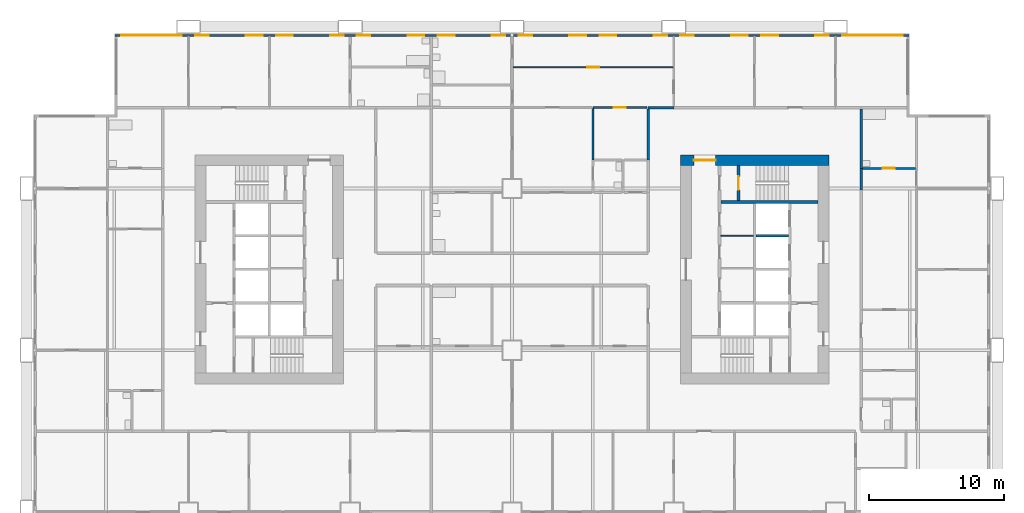
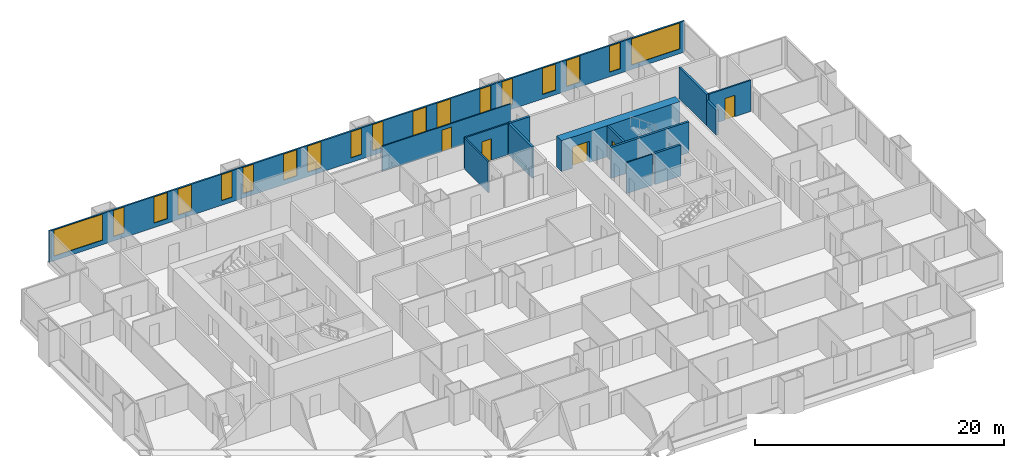
# One storey, part 10 of 14: 18 windows, 14 walls, 5 doors, 23 openings.
"""IFC4 building model written with IfcOpenShell, lengths in metres."""

from ifc_helpers import new_model, si_unit, direction, frame, frame_2d, origin, place, context, subcontext, project, spatial, rectangle, extrude, material, layer, layer_set, type_object, element, fill, save


model = new_model("IFC4")

# Units and contexts
model_context = context("Model", 3, precision=1e-05, world=origin(), true_north=direction((0.0, 1.0)))
body_context = subcontext(model_context, "Body", "Model", "MODEL_VIEW")
ifc_project = project(units=[si_unit("LENGTHUNIT", "METRE"), si_unit("AREAUNIT", "SQUARE_METRE"), si_unit("VOLUMEUNIT", "CUBIC_METRE"), si_unit("PLANEANGLEUNIT", "RADIAN"), si_unit("MASSUNIT", "GRAM", prefix="KILO")], contexts=[model_context])

# Site, building, storey
site_placement = place(None, origin())
site = spatial("IfcSite", under=ifc_project, at=site_placement, CompositionType="ELEMENT")
building_placement = place(site_placement, origin())
building = spatial("IfcBuilding", under=site, at=building_placement, Name="Kitamizu Gate Tower and Museum", CompositionType="ELEMENT")
storey_placement = place(building_placement, frame((0.0, 0.0, 43.800048828125)))
storey = spatial("IfcBuildingStorey", under=building, at=storey_placement, Name="L09", CompositionType="ELEMENT", Elevation=43.800048828125)

# Wall, opening, door
ifc_material_1 = material(Name="Concrete Fc60", Category="concrete")
ifc_layer_1 = layer(ifc_material_1, 0.800048828125)
ifc_layer_set_1 = layer_set([ifc_layer_1], Name="Concrete Fc60")
wall_type_1 = type_object("IfcWallType", Name="Core wall 800", PredefinedType="SHEAR", material=ifc_layer_set_1)
wall_1_placement = place(storey_placement, frame((59.5, 38.10009765625, 0.0), z_axis=(0.0, 0.0, 1.0), x_axis=(-1.0, 0.0, 0.0)))
wall_1 = element("IfcWall", 1, at=wall_1_placement, inside=storey, type_object=wall_type_1, Name="Core wall EN", PredefinedType="SHEAR", context=body_context, shape_type="SweptSolid", body=[
    extrude(rectangle(XDim=11.0, YDim=0.800048828125, at=frame_2d((5.5, 0.0))), origin(), (0.0, 0.0, 1.0), 3.050048828125),
])
opening_1_placement = place(wall_1_placement, frame((8.39990234375, 0.0, 0.0)))
opening_1 = element("IfcOpeningElement", 2, at=opening_1_placement, cuts=wall_1, Name="Opening L09-098", PredefinedType="OPENING", context=body_context, shape_type="SweptSolid", body=[
    extrude(rectangle(XDim=1.60009765625, YDim=2.10009765625, at=frame_2d((0.800048828125, 1.050048828125))), frame((0.0, 0.41015625, 0.0), z_axis=(0.0, -1.0, 0.0), x_axis=(1.0, 0.0, 0.0)), (0.0, 0.0, 1.0), 0.820068359375),
])
ifc_material_2 = material(Name="Timber door set", Category="wood")
door_type_1 = type_object("IfcDoorType", Name="Entrance door 1600", OperationType="DOUBLE_DOOR_SINGLE_SWING", PredefinedType="DOOR", material=ifc_material_2)
door_1_placement = place(opening_1_placement, origin())
door_1 = element("IfcDoor", 3, at=door_1_placement, inside=storey, type_object=door_type_1, Name="Lobby door L09-098", OperationType="DOUBLE_DOOR_SINGLE_SWING", OverallHeight=2.10009765625, OverallWidth=1.60009765625, PredefinedType="DOOR", context=body_context, shape_type="SweptSolid", body=[
    extrude(rectangle(XDim=1.60009765625, YDim=2.10009765625, at=frame_2d((0.800048828125, 1.050048828125))), frame((0.0, 0.02490234375, 0.0), z_axis=(0.0, -1.0, 0.0), x_axis=(1.0, 0.0, 0.0)), (0.0, 0.0, 1.0), 0.050048828125),
])
fill(opening_1, door_1)

# Wall
ifc_material_3 = material(Name="Gypsum board on galvanised stud")
ifc_layer_2 = layer(ifc_material_3, 0.10009765625)
ifc_layer_set_2 = layer_set([ifc_layer_2], Name="Gypsum board on galvanised stud")
wall_type_2 = type_object("IfcWallType", Name="Partition 100", PredefinedType="PARTITIONING", material=ifc_layer_set_2)
wall_2_placement = place(storey_placement, frame((53.89990234375, 32.490966796875, 0.0), z_axis=(0.0, 0.0, 1.0), x_axis=(-1.0, 0.0, 0.0)))
element("IfcWall", 4, at=wall_2_placement, inside=storey, type_object=wall_type_2, Name="Partition EPF2", PredefinedType="PARTITIONING", context=body_context, shape_type="SweptSolid", body=[
    extrude(rectangle(XDim=2.39990234375, YDim=0.10009765625, at=frame_2d((1.199951171875, 0.0))), origin(), (0.0, 0.0, 1.0), 3.050048828125),
])

# Wall, opening, door
ifc_material_4 = material(Name="Gypsum board on galvanised stud")
ifc_layer_3 = layer(ifc_material_4, 0.10009765625)
ifc_layer_set_3 = layer_set([ifc_layer_3], Name="Gypsum board on galvanised stud")
wall_type_3 = type_object("IfcWallType", Name="Partition 100 NOT RATED", PredefinedType="PARTITIONING", material=ifc_layer_set_3)
wall_3_placement = place(storey_placement, frame((48.0, 45.0, 0.0), z_axis=(0.0, 0.0, 1.0), x_axis=(-1.0, 0.0, 0.0)))
wall_3 = element("IfcWall", 5, at=wall_3_placement, inside=storey, type_object=wall_type_3, Name="Partition L09-158", PredefinedType="PARTITIONING", context=body_context, shape_type="SweptSolid", body=[
    extrude(rectangle(XDim=11.925048828125, YDim=0.10009765625, at=frame_2d((5.96240234375, 0.0))), origin(), (0.0, 0.0, 1.0), 2.449951171875),
])
opening_2_placement = place(wall_3_placement, frame((5.512451171875, 0.0, 0.0)))
opening_2 = element("IfcOpeningElement", 6, at=opening_2_placement, cuts=wall_3, Name="Opening L09-059", PredefinedType="OPENING", context=body_context, shape_type="SweptSolid", body=[
    extrude(rectangle(XDim=0.89990234375, YDim=2.10009765625, at=frame_2d((0.449951171875, 1.050048828125))), frame((0.0, 0.06005859375, 0.0), z_axis=(0.0, -1.0, 0.0), x_axis=(1.0, 0.0, 0.0)), (0.0, 0.0, 1.0), 0.1201171875),
])
ifc_material_5 = material(Name="Timber door set", Category="wood")
door_type_2 = type_object("IfcDoorType", Name="Room door 900", OperationType="NOTDEFINED", PredefinedType="DOOR", material=ifc_material_5)
door_2_placement = place(opening_2_placement, frame((0.89990234375, 0.0, 0.0), x_axis=(-1.0, 0.0, 0.0)))
door_2 = element("IfcDoor", 7, at=door_2_placement, inside=storey, type_object=door_type_2, Name="Door L09-059", OperationType="SINGLE_SWING_LEFT", OverallHeight=2.10009765625, OverallWidth=0.89990234375, PredefinedType="DOOR", context=body_context, shape_type="SweptSolid", body=[
    extrude(rectangle(XDim=0.89990234375, YDim=2.10009765625, at=frame_2d((0.449951171875, 1.050048828125))), frame((0.0, 0.02490234375, 0.0), z_axis=(0.0, -1.0, 0.0), x_axis=(1.0, 0.0, 0.0)), (0.0, 0.0, 1.0), 0.050048828125),
])
fill(opening_2, door_2)

ifc_material_6 = material(Name="Gypsum board on galvanised stud")
ifc_layer_4 = layer(ifc_material_6, 0.14990234375)
ifc_layer_set_4 = layer_set([ifc_layer_4], Name="Gypsum board on galvanised stud")
wall_type_4 = type_object("IfcWallType", Name="Partition 150", PredefinedType="PARTITIONING", material=ifc_layer_set_4)
wall_4_placement = place(storey_placement, frame((42.0, 42.0, 0.0), z_axis=(0.0, 0.0, 1.0), x_axis=(1.0, 0.0, 0.0)))
wall_4 = element("IfcWall", 8, at=wall_4_placement, inside=storey, type_object=wall_type_4, Name="Partition L09-161", PredefinedType="PARTITIONING", context=body_context, shape_type="SweptSolid", body=[
    extrude(rectangle(XDim=4.0, YDim=0.14990234375, at=frame_2d((2.0, 0.0))), origin(), (0.0, 0.0, 1.0), 3.050048828125),
])
opening_3_placement = place(wall_4_placement, frame((1.550048828125, 0.0, 0.0)))
opening_3 = element("IfcOpeningElement", 9, at=opening_3_placement, cuts=wall_4, Name="Opening L09-062", PredefinedType="OPENING", context=body_context, shape_type="SweptSolid", body=[
    extrude(rectangle(XDim=0.89990234375, YDim=2.10009765625, at=frame_2d((0.449951171875, 1.050048828125))), frame((0.0, 0.0849609375, 0.0), z_axis=(0.0, -1.0, 0.0), x_axis=(1.0, 0.0, 0.0)), (0.0, 0.0, 1.0), 0.169921875),
])
ifc_material_7 = material(Name="Timber door set", Category="wood")
door_type_3 = type_object("IfcDoorType", Name="Bathroom door 900", OperationType="NOTDEFINED", PredefinedType="DOOR", material=ifc_material_7)
door_3_placement = place(opening_3_placement, frame((0.89990234375, 0.0, 0.0), x_axis=(-1.0, 0.0, 0.0)))
door_3 = element("IfcDoor", 10, at=door_3_placement, inside=storey, type_object=door_type_3, Name="Bathroom door L09-062", OperationType="SINGLE_SWING_LEFT", OverallHeight=2.10009765625, OverallWidth=0.89990234375, PredefinedType="DOOR", context=body_context, shape_type="SweptSolid", body=[
    extrude(rectangle(XDim=0.89990234375, YDim=2.10009765625, at=frame_2d((0.449951171875, 1.050048828125))), frame((0.0, 0.02490234375, 0.0), z_axis=(0.0, -1.0, 0.0), x_axis=(1.0, 0.0, 0.0)), (0.0, 0.0, 1.0), 0.050048828125),
])
fill(opening_3, door_3)

# Wall
wall_5_placement = place(storey_placement, frame((42.0, 38.10009765625, 0.0), z_axis=(0.0, 0.0, 1.0), x_axis=(0.0, 1.0, 0.0)))
element("IfcWall", 11, at=wall_5_placement, inside=storey, type_object=wall_type_4, Name="Partition L09-175", PredefinedType="PARTITIONING", context=body_context, shape_type="SweptSolid", body=[
    extrude(rectangle(XDim=3.824951171875, YDim=0.14990234375, at=frame_2d((1.91259765625, 0.0))), origin(), (0.0, 0.0, 1.0), 3.050048828125),
])

# Wall, opening, door
wall_6_placement = place(storey_placement, frame((65.925048828125, 37.5, 0.0), z_axis=(0.0, 0.0, 1.0), x_axis=(-1.0, 0.0, 0.0)))
wall_6 = element("IfcWall", 12, at=wall_6_placement, inside=storey, type_object=wall_type_4, Name="Partition L09-210", PredefinedType="PARTITIONING", context=body_context, shape_type="SweptSolid", body=[
    extrude(rectangle(XDim=3.925048828125, YDim=0.14990234375, at=frame_2d((1.96240234375, 0.0))), origin(), (0.0, 0.0, 1.0), 3.050048828125),
])
opening_4_placement = place(wall_6_placement, frame((1.512451171875, 0.0, 0.0)))
opening_4 = element("IfcOpeningElement", 13, at=opening_4_placement, cuts=wall_6, Name="Opening L09-076", PredefinedType="OPENING", context=body_context, shape_type="SweptSolid", body=[
    extrude(rectangle(XDim=0.89990234375, YDim=2.10009765625, at=frame_2d((0.449951171875, 1.050048828125))), frame((0.0, 0.0849609375, 0.0), z_axis=(0.0, -1.0, 0.0), x_axis=(1.0, 0.0, 0.0)), (0.0, 0.0, 1.0), 0.169921875),
])
door_4_placement = place(opening_4_placement, frame((0.89990234375, 0.0, 0.0), x_axis=(-1.0, 0.0, 0.0)))
door_4 = element("IfcDoor", 14, at=door_4_placement, inside=storey, type_object=door_type_3, Name="Bathroom door L09-076", OperationType="SINGLE_SWING_RIGHT", OverallHeight=2.10009765625, OverallWidth=0.89990234375, PredefinedType="DOOR", context=body_context, shape_type="SweptSolid", body=[
    extrude(rectangle(XDim=0.89990234375, YDim=2.10009765625, at=frame_2d((0.449951171875, 1.050048828125))), frame((0.0, 0.02490234375, 0.0), z_axis=(0.0, -1.0, 0.0), x_axis=(1.0, 0.0, 0.0)), (0.0, 0.0, 1.0), 0.050048828125),
])
fill(opening_4, door_4)

# Walls
ifc_material_8 = material(Name="Gypsum board on galvanised stud")
ifc_layer_5 = layer(ifc_material_8, 0.199951171875)
ifc_layer_set_5 = layer_set([ifc_layer_5], Name="Gypsum board on galvanised stud")
wall_type_5 = type_object("IfcWallType", Name="Partition 200", PredefinedType="PARTITIONING", material=ifc_layer_set_5)
wall_7_placement = place(storey_placement, frame((46.10009765625, 42.0, 0.0), z_axis=(0.0, 0.0, 1.0), x_axis=(1.0, 0.0, 0.0)))
element("IfcWall", 15, at=wall_7_placement, inside=storey, type_object=wall_type_5, Name="Partition L09-162", PredefinedType="PARTITIONING", context=body_context, shape_type="SweptSolid", body=[
    extrude(rectangle(XDim=1.89990234375, YDim=0.199951171875, at=frame_2d((0.949951171875, 0.0))), origin(), (0.0, 0.0, 1.0), 3.050048828125),
])
wall_8_placement = place(storey_placement, frame((46.10009765625, 38.10009765625, 0.0), z_axis=(0.0, 0.0, 1.0), x_axis=(0.0, 1.0, 0.0)))
element("IfcWall", 16, at=wall_8_placement, inside=storey, type_object=wall_type_5, Name="Partition L09-185", PredefinedType="PARTITIONING", context=body_context, shape_type="SweptSolid", body=[
    extrude(rectangle(XDim=3.7998046875, YDim=0.199951171875, at=frame_2d((1.89990234375, 0.0))), origin(), (0.0, 0.0, 1.0), 3.050048828125),
])
wall_9_placement = place(storey_placement, frame((61.89990234375, 37.5, 0.0), z_axis=(0.0, 0.0, 1.0), x_axis=(0.0, -1.0, 0.0)))
element("IfcWall", 17, at=wall_9_placement, inside=storey, type_object=wall_type_5, Name="Partition L09-211", PredefinedType="PARTITIONING", context=body_context, shape_type="SweptSolid", body=[
    extrude(rectangle(XDim=1.60009765625, YDim=0.199951171875, at=frame_2d((0.800048828125, 0.0))), origin(), (0.0, 0.0, 1.0), 2.449951171875),
])
wall_10_placement = place(storey_placement, frame((61.89990234375, 41.89990234375, 0.0), z_axis=(0.0, 0.0, 1.0), x_axis=(0.0, -1.0, 0.0)))
element("IfcWall", 18, at=wall_10_placement, inside=storey, type_object=wall_type_5, Name="Partition L09-213", PredefinedType="PARTITIONING", context=body_context, shape_type="SweptSolid", body=[
    extrude(rectangle(XDim=4.39990234375, YDim=0.199951171875, at=frame_2d((2.199951171875, 0.0))), origin(), (0.0, 0.0, 1.0), 3.050048828125),
])
ifc_material_9 = material(Name="Concrete Fc42", Category="concrete")
ifc_layer_6 = layer(ifc_material_9, 0.199951171875)
ifc_layer_set_6 = layer_set([ifc_layer_6], Name="Concrete Fc42")
wall_type_6 = type_object("IfcWallType", Name="Shaft wall 200", PredefinedType="SOLIDWALL", material=ifc_layer_set_6)
wall_11_placement = place(storey_placement, frame((58.699951171875, 35.0, 0.0), z_axis=(0.0, 0.0, 1.0), x_axis=(-1.0, 0.0, 0.0)))
element("IfcWall", 19, at=wall_11_placement, inside=storey, type_object=wall_type_6, Name="Shaft wall ENB", PredefinedType="SOLIDWALL", context=body_context, shape_type="SweptSolid", body=[
    extrude(rectangle(XDim=7.199951171875, YDim=0.199951171875, at=frame_2d((3.60009765625, 0.0))), origin(), (0.0, 0.0, 1.0), 3.050048828125),
])

# Wall, opening, door
wall_12_placement = place(storey_placement, frame((52.800048828125, 35.10009765625, 0.0), z_axis=(0.0, 0.0, 1.0), x_axis=(0.0, 1.0, 0.0)))
wall_12 = element("IfcWall", 20, at=wall_12_placement, inside=storey, type_object=wall_type_6, Name="Shaft wall ENZ", PredefinedType="SOLIDWALL", context=body_context, shape_type="SweptSolid", body=[
    extrude(rectangle(XDim=2.599853515625, YDim=0.199951171875, at=frame_2d((1.2998046875, 0.0))), origin(), (0.0, 0.0, 1.0), 3.050048828125),
])
opening_5_placement = place(wall_12_placement, frame((0.800048828125, 0.0, 0.0)))
opening_5 = element("IfcOpeningElement", 21, at=opening_5_placement, cuts=wall_12, Name="Opening L09-094", PredefinedType="OPENING", context=body_context, shape_type="SweptSolid", body=[
    extrude(rectangle(XDim=1.0, YDim=2.10009765625, at=frame_2d((0.5, 1.050048828125))), frame((0.0, 0.10986328125, 0.0), z_axis=(0.0, -1.0, 0.0), x_axis=(1.0, 0.0, 0.0)), (0.0, 0.0, 1.0), 0.219970703125),
])
ifc_material_10 = material(Name="Hollow metal door set")
door_type_4 = type_object("IfcDoorType", Name="Fire door 1000", OperationType="NOTDEFINED", PredefinedType="DOOR", material=ifc_material_10)
door_5_placement = place(opening_5_placement, frame((1.0, 0.0, 0.0), x_axis=(-1.0, 0.0, 0.0)))
door_5 = element("IfcDoor", 22, at=door_5_placement, inside=storey, type_object=door_type_4, Name="Stair door L09-094", OperationType="SINGLE_SWING_LEFT", OverallHeight=2.10009765625, OverallWidth=1.0, PredefinedType="DOOR", context=body_context, shape_type="SweptSolid", body=[
    extrude(rectangle(XDim=1.0, YDim=2.10009765625, at=frame_2d((0.5, 1.050048828125))), frame((0.0, 0.02490234375, 0.0), z_axis=(0.0, -1.0, 0.0), x_axis=(1.0, 0.0, 0.0)), (0.0, 0.0, 1.0), 0.050048828125),
])
fill(opening_5, door_5)

# Wall
wall_13_placement = place(storey_placement, frame((56.5, 32.5, 0.0), z_axis=(0.0, 0.0, 1.0), x_axis=(-1.0, 0.0, 0.0)))
element("IfcWall", 23, at=wall_13_placement, inside=storey, type_object=wall_type_6, Name="Shaft wall EDVW2", PredefinedType="SOLIDWALL", context=body_context, shape_type="SweptSolid", body=[
    extrude(rectangle(XDim=2.39990234375, YDim=0.199951171875, at=frame_2d((1.199951171875, 0.0))), origin(), (0.0, 0.0, 1.0), 3.050048828125),
])

# Wall, openings, windows
ifc_material_11 = material(Name="Bronze anodised aluminium frame with insulated spandrel and tinted glass", Category="aluminium")
ifc_layer_7 = layer(ifc_material_11, 0.14990234375)
ifc_layer_set_7 = layer_set([ifc_layer_7], Name="Bronze anodised aluminium frame with insulated spandrel and tinted glass")
wall_type_7 = type_object("IfcWallType", Name="WINDOW WALL 150 BRONZE FRAME EI 30", PredefinedType="ELEMENTEDWALL", material=ifc_layer_set_7)
wall_14_placement = place(storey_placement, frame((6.56005859375, 47.364990234375, 0.0), z_axis=(0.0, 0.0, 1.0), x_axis=(1.0, 0.0, 0.0)))
wall_14 = element("IfcWall", 24, at=wall_14_placement, inside=storey, type_object=wall_type_7, Name="Window wall north L09", PredefinedType="ELEMENTEDWALL", context=body_context, shape_type="SweptSolid", body=[
    extrude(rectangle(XDim=58.8798828125, YDim=0.14990234375, at=frame_2d((29.43994140625, 0.0))), origin(), (0.0, 0.0, 1.0), 3.050048828125),
])
opening_6_placement = place(wall_14_placement, frame((0.43994140625, 0.0, 0.449951171875)))
opening_6 = element("IfcOpeningElement", 25, at=opening_6_placement, cuts=wall_14, Name="Opening W15", PredefinedType="OPENING", context=body_context, shape_type="SweptSolid", body=[
    extrude(rectangle(XDim=4.5, YDim=2.550048828125, at=frame_2d((2.25, 1.27490234375))), frame((0.0, 0.0849609375, 0.0), z_axis=(0.0, -1.0, 0.0), x_axis=(1.0, 0.0, 0.0)), (0.0, 0.0, 1.0), 0.169921875),
])
opening_7_placement = place(wall_14_placement, frame((5.93994140625, 0.0, 0.449951171875)))
opening_7 = element("IfcOpeningElement", 26, at=opening_7_placement, cuts=wall_14, Name="Opening W26", PredefinedType="OPENING", context=body_context, shape_type="SweptSolid", body=[
    extrude(rectangle(XDim=1.0, YDim=2.550048828125, at=frame_2d((0.5, 1.27490234375))), frame((0.0, 0.0849609375, 0.0), z_axis=(0.0, -1.0, 0.0), x_axis=(1.0, 0.0, 0.0)), (0.0, 0.0, 1.0), 0.169921875),
])
opening_8_placement = place(wall_14_placement, frame((9.68994140625, 0.0, 0.449951171875)))
opening_8 = element("IfcOpeningElement", 27, at=opening_8_placement, cuts=wall_14, Name="Opening W27", PredefinedType="OPENING", context=body_context, shape_type="SweptSolid", body=[
    extrude(rectangle(XDim=1.25, YDim=2.550048828125, at=frame_2d((0.625, 1.27490234375))), frame((0.0, 0.0849609375, 0.0), z_axis=(0.0, -1.0, 0.0), x_axis=(1.0, 0.0, 0.0)), (0.0, 0.0, 1.0), 0.169921875),
])
opening_9_placement = place(wall_14_placement, frame((11.93994140625, 0.0, 0.449951171875)))
opening_9 = element("IfcOpeningElement", 28, at=opening_9_placement, cuts=wall_14, Name="Opening W27", PredefinedType="OPENING", context=body_context, shape_type="SweptSolid", body=[
    extrude(rectangle(XDim=1.25, YDim=2.550048828125, at=frame_2d((0.625, 1.27490234375))), frame((0.0, 0.0849609375, 0.0), z_axis=(0.0, -1.0, 0.0), x_axis=(1.0, 0.0, 0.0)), (0.0, 0.0, 1.0), 0.169921875),
])
opening_10_placement = place(wall_14_placement, frame((15.93994140625, 0.0, 0.449951171875)))
opening_10 = element("IfcOpeningElement", 29, at=opening_10_placement, cuts=wall_14, Name="Opening W26", PredefinedType="OPENING", context=body_context, shape_type="SweptSolid", body=[
    extrude(rectangle(XDim=1.0, YDim=2.550048828125, at=frame_2d((0.5, 1.27490234375))), frame((0.0, 0.0849609375, 0.0), z_axis=(0.0, -1.0, 0.0), x_axis=(1.0, 0.0, 0.0)), (0.0, 0.0, 1.0), 0.169921875),
])
opening_11_placement = place(wall_14_placement, frame((17.93994140625, 0.0, 0.449951171875)))
opening_11 = element("IfcOpeningElement", 30, at=opening_11_placement, cuts=wall_14, Name="Opening W26", PredefinedType="OPENING", context=body_context, shape_type="SweptSolid", body=[
    extrude(rectangle(XDim=1.0, YDim=2.550048828125, at=frame_2d((0.5, 1.27490234375))), frame((0.0, 0.0849609375, 0.0), z_axis=(0.0, -1.0, 0.0), x_axis=(1.0, 0.0, 0.0)), (0.0, 0.0, 1.0), 0.169921875),
])
opening_12_placement = place(wall_14_placement, frame((21.68994140625, 0.0, 0.449951171875)))
opening_12 = element("IfcOpeningElement", 31, at=opening_12_placement, cuts=wall_14, Name="Opening W27", PredefinedType="OPENING", context=body_context, shape_type="SweptSolid", body=[
    extrude(rectangle(XDim=1.25, YDim=2.550048828125, at=frame_2d((0.625, 1.27490234375))), frame((0.0, 0.0849609375, 0.0), z_axis=(0.0, -1.0, 0.0), x_axis=(1.0, 0.0, 0.0)), (0.0, 0.0, 1.0), 0.169921875),
])
opening_13_placement = place(wall_14_placement, frame((23.93994140625, 0.0, 0.449951171875)))
opening_13 = element("IfcOpeningElement", 32, at=opening_13_placement, cuts=wall_14, Name="Opening W27", PredefinedType="OPENING", context=body_context, shape_type="SweptSolid", body=[
    extrude(rectangle(XDim=1.25, YDim=2.550048828125, at=frame_2d((0.625, 1.27490234375))), frame((0.0, 0.0849609375, 0.0), z_axis=(0.0, -1.0, 0.0), x_axis=(1.0, 0.0, 0.0)), (0.0, 0.0, 1.0), 0.169921875),
])
opening_14_placement = place(wall_14_placement, frame((27.93994140625, 0.0, 0.449951171875)))
opening_14 = element("IfcOpeningElement", 33, at=opening_14_placement, cuts=wall_14, Name="Opening W26", PredefinedType="OPENING", context=body_context, shape_type="SweptSolid", body=[
    extrude(rectangle(XDim=1.0, YDim=2.550048828125, at=frame_2d((0.5, 1.27490234375))), frame((0.0, 0.0849609375, 0.0), z_axis=(0.0, -1.0, 0.0), x_axis=(1.0, 0.0, 0.0)), (0.0, 0.0, 1.0), 0.169921875),
])
opening_15_placement = place(wall_14_placement, frame((29.93994140625, 0.0, 0.449951171875)))
opening_15 = element("IfcOpeningElement", 34, at=opening_15_placement, cuts=wall_14, Name="Opening W26", PredefinedType="OPENING", context=body_context, shape_type="SweptSolid", body=[
    extrude(rectangle(XDim=1.0, YDim=2.550048828125, at=frame_2d((0.5, 1.27490234375))), frame((0.0, 0.0849609375, 0.0), z_axis=(0.0, -1.0, 0.0), x_axis=(1.0, 0.0, 0.0)), (0.0, 0.0, 1.0), 0.169921875),
])
opening_16_placement = place(wall_14_placement, frame((33.68994140625, 0.0, 0.449951171875)))
opening_16 = element("IfcOpeningElement", 35, at=opening_16_placement, cuts=wall_14, Name="Opening W27", PredefinedType="OPENING", context=body_context, shape_type="SweptSolid", body=[
    extrude(rectangle(XDim=1.25, YDim=2.550048828125, at=frame_2d((0.625, 1.27490234375))), frame((0.0, 0.0849609375, 0.0), z_axis=(0.0, -1.0, 0.0), x_axis=(1.0, 0.0, 0.0)), (0.0, 0.0, 1.0), 0.169921875),
])
opening_17_placement = place(wall_14_placement, frame((35.93994140625, 0.0, 0.449951171875)))
opening_17 = element("IfcOpeningElement", 36, at=opening_17_placement, cuts=wall_14, Name="Opening W27", PredefinedType="OPENING", context=body_context, shape_type="SweptSolid", body=[
    extrude(rectangle(XDim=1.25, YDim=2.550048828125, at=frame_2d((0.625, 1.27490234375))), frame((0.0, 0.0849609375, 0.0), z_axis=(0.0, -1.0, 0.0), x_axis=(1.0, 0.0, 0.0)), (0.0, 0.0, 1.0), 0.169921875),
])
opening_18_placement = place(wall_14_placement, frame((39.93994140625, 0.0, 0.449951171875)))
opening_18 = element("IfcOpeningElement", 37, at=opening_18_placement, cuts=wall_14, Name="Opening W26", PredefinedType="OPENING", context=body_context, shape_type="SweptSolid", body=[
    extrude(rectangle(XDim=1.0, YDim=2.550048828125, at=frame_2d((0.5, 1.27490234375))), frame((0.0, 0.0849609375, 0.0), z_axis=(0.0, -1.0, 0.0), x_axis=(1.0, 0.0, 0.0)), (0.0, 0.0, 1.0), 0.169921875),
])
opening_19_placement = place(wall_14_placement, frame((41.93994140625, 0.0, 0.449951171875)))
opening_19 = element("IfcOpeningElement", 38, at=opening_19_placement, cuts=wall_14, Name="Opening W26", PredefinedType="OPENING", context=body_context, shape_type="SweptSolid", body=[
    extrude(rectangle(XDim=1.0, YDim=2.550048828125, at=frame_2d((0.5, 1.27490234375))), frame((0.0, 0.0849609375, 0.0), z_axis=(0.0, -1.0, 0.0), x_axis=(1.0, 0.0, 0.0)), (0.0, 0.0, 1.0), 0.169921875),
])
opening_20_placement = place(wall_14_placement, frame((45.68994140625, 0.0, 0.449951171875)))
opening_20 = element("IfcOpeningElement", 39, at=opening_20_placement, cuts=wall_14, Name="Opening W27", PredefinedType="OPENING", context=body_context, shape_type="SweptSolid", body=[
    extrude(rectangle(XDim=1.25, YDim=2.550048828125, at=frame_2d((0.625, 1.27490234375))), frame((0.0, 0.0849609375, 0.0), z_axis=(0.0, -1.0, 0.0), x_axis=(1.0, 0.0, 0.0)), (0.0, 0.0, 1.0), 0.169921875),
])
opening_21_placement = place(wall_14_placement, frame((47.93994140625, 0.0, 0.449951171875)))
opening_21 = element("IfcOpeningElement", 40, at=opening_21_placement, cuts=wall_14, Name="Opening W27", PredefinedType="OPENING", context=body_context, shape_type="SweptSolid", body=[
    extrude(rectangle(XDim=1.25, YDim=2.550048828125, at=frame_2d((0.625, 1.27490234375))), frame((0.0, 0.0849609375, 0.0), z_axis=(0.0, -1.0, 0.0), x_axis=(1.0, 0.0, 0.0)), (0.0, 0.0, 1.0), 0.169921875),
])
opening_22_placement = place(wall_14_placement, frame((51.93994140625, 0.0, 0.449951171875)))
opening_22 = element("IfcOpeningElement", 41, at=opening_22_placement, cuts=wall_14, Name="Opening W26", PredefinedType="OPENING", context=body_context, shape_type="SweptSolid", body=[
    extrude(rectangle(XDim=1.0, YDim=2.550048828125, at=frame_2d((0.5, 1.27490234375))), frame((0.0, 0.0849609375, 0.0), z_axis=(0.0, -1.0, 0.0), x_axis=(1.0, 0.0, 0.0)), (0.0, 0.0, 1.0), 0.169921875),
])
opening_23_placement = place(wall_14_placement, frame((53.93994140625, 0.0, 0.449951171875)))
opening_23 = element("IfcOpeningElement", 42, at=opening_23_placement, cuts=wall_14, Name="Opening W15", PredefinedType="OPENING", context=body_context, shape_type="SweptSolid", body=[
    extrude(rectangle(XDim=4.5, YDim=2.550048828125, at=frame_2d((2.25, 1.27490234375))), frame((0.0, 0.0849609375, 0.0), z_axis=(0.0, -1.0, 0.0), x_axis=(1.0, 0.0, 0.0)), (0.0, 0.0, 1.0), 0.169921875),
])
ifc_material_12 = material(Name="Bronze anodised aluminium frame, tinted triple glazing", Category="aluminium")
window_type_1 = type_object("IfcWindowType", Name="WINDOW 1000 x 2550 SILL 450", PartitioningType="SINGLE_PANEL", PredefinedType="WINDOW", material=ifc_material_12)
window_1_placement = place(opening_7_placement, origin())
window_1 = element("IfcWindow", 43, at=window_1_placement, inside=storey, type_object=window_type_1, Name="Window W26 L09", OverallHeight=2.550048828125, OverallWidth=1.0, PartitioningType="SINGLE_PANEL", PredefinedType="WINDOW", context=body_context, shape_type="SweptSolid", body=[
    extrude(rectangle(XDim=1.0, YDim=2.550048828125, at=frame_2d((0.5, 1.27490234375))), frame((0.0, 0.030029296875, 0.0), z_axis=(0.0, -1.0, 0.0), x_axis=(1.0, 0.0, 0.0)), (0.0, 0.0, 1.0), 0.06005859375),
])
fill(opening_7, window_1)
window_2_placement = place(opening_10_placement, origin())
window_2 = element("IfcWindow", 44, at=window_2_placement, inside=storey, type_object=window_type_1, Name="Window W26 L09", OverallHeight=2.550048828125, OverallWidth=1.0, PartitioningType="SINGLE_PANEL", PredefinedType="WINDOW", context=body_context, shape_type="SweptSolid", body=[
    extrude(rectangle(XDim=1.0, YDim=2.550048828125, at=frame_2d((0.5, 1.27490234375))), frame((0.0, 0.030029296875, 0.0), z_axis=(0.0, -1.0, 0.0), x_axis=(1.0, 0.0, 0.0)), (0.0, 0.0, 1.0), 0.06005859375),
])
fill(opening_10, window_2)
window_3_placement = place(opening_11_placement, origin())
window_3 = element("IfcWindow", 45, at=window_3_placement, inside=storey, type_object=window_type_1, Name="Window W26 L09", OverallHeight=2.550048828125, OverallWidth=1.0, PartitioningType="SINGLE_PANEL", PredefinedType="WINDOW", context=body_context, shape_type="SweptSolid", body=[
    extrude(rectangle(XDim=1.0, YDim=2.550048828125, at=frame_2d((0.5, 1.27490234375))), frame((0.0, 0.030029296875, 0.0), z_axis=(0.0, -1.0, 0.0), x_axis=(1.0, 0.0, 0.0)), (0.0, 0.0, 1.0), 0.06005859375),
])
fill(opening_11, window_3)
window_4_placement = place(opening_14_placement, origin())
window_4 = element("IfcWindow", 46, at=window_4_placement, inside=storey, type_object=window_type_1, Name="Window W26 L09", OverallHeight=2.550048828125, OverallWidth=1.0, PartitioningType="SINGLE_PANEL", PredefinedType="WINDOW", context=body_context, shape_type="SweptSolid", body=[
    extrude(rectangle(XDim=1.0, YDim=2.550048828125, at=frame_2d((0.5, 1.27490234375))), frame((0.0, 0.030029296875, 0.0), z_axis=(0.0, -1.0, 0.0), x_axis=(1.0, 0.0, 0.0)), (0.0, 0.0, 1.0), 0.06005859375),
])
fill(opening_14, window_4)
window_5_placement = place(opening_15_placement, origin())
window_5 = element("IfcWindow", 47, at=window_5_placement, inside=storey, type_object=window_type_1, Name="Window W26 L09", OverallHeight=2.550048828125, OverallWidth=1.0, PartitioningType="SINGLE_PANEL", PredefinedType="WINDOW", context=body_context, shape_type="SweptSolid", body=[
    extrude(rectangle(XDim=1.0, YDim=2.550048828125, at=frame_2d((0.5, 1.27490234375))), frame((0.0, 0.030029296875, 0.0), z_axis=(0.0, -1.0, 0.0), x_axis=(1.0, 0.0, 0.0)), (0.0, 0.0, 1.0), 0.06005859375),
])
fill(opening_15, window_5)
window_6_placement = place(opening_18_placement, origin())
window_6 = element("IfcWindow", 48, at=window_6_placement, inside=storey, type_object=window_type_1, Name="Window W26 L09", OverallHeight=2.550048828125, OverallWidth=1.0, PartitioningType="SINGLE_PANEL", PredefinedType="WINDOW", context=body_context, shape_type="SweptSolid", body=[
    extrude(rectangle(XDim=1.0, YDim=2.550048828125, at=frame_2d((0.5, 1.27490234375))), frame((0.0, 0.030029296875, 0.0), z_axis=(0.0, -1.0, 0.0), x_axis=(1.0, 0.0, 0.0)), (0.0, 0.0, 1.0), 0.06005859375),
])
fill(opening_18, window_6)
window_7_placement = place(opening_19_placement, origin())
window_7 = element("IfcWindow", 49, at=window_7_placement, inside=storey, type_object=window_type_1, Name="Window W26 L09", OverallHeight=2.550048828125, OverallWidth=1.0, PartitioningType="SINGLE_PANEL", PredefinedType="WINDOW", context=body_context, shape_type="SweptSolid", body=[
    extrude(rectangle(XDim=1.0, YDim=2.550048828125, at=frame_2d((0.5, 1.27490234375))), frame((0.0, 0.030029296875, 0.0), z_axis=(0.0, -1.0, 0.0), x_axis=(1.0, 0.0, 0.0)), (0.0, 0.0, 1.0), 0.06005859375),
])
fill(opening_19, window_7)
window_8_placement = place(opening_22_placement, origin())
window_8 = element("IfcWindow", 50, at=window_8_placement, inside=storey, type_object=window_type_1, Name="Window W26 L09", OverallHeight=2.550048828125, OverallWidth=1.0, PartitioningType="SINGLE_PANEL", PredefinedType="WINDOW", context=body_context, shape_type="SweptSolid", body=[
    extrude(rectangle(XDim=1.0, YDim=2.550048828125, at=frame_2d((0.5, 1.27490234375))), frame((0.0, 0.030029296875, 0.0), z_axis=(0.0, -1.0, 0.0), x_axis=(1.0, 0.0, 0.0)), (0.0, 0.0, 1.0), 0.06005859375),
])
fill(opening_22, window_8)
ifc_material_13 = material(Name="Bronze anodised aluminium frame, tinted triple glazing", Category="aluminium")
window_type_2 = type_object("IfcWindowType", Name="WINDOW 1250 x 2550 SILL 450", PartitioningType="SINGLE_PANEL", PredefinedType="WINDOW", material=ifc_material_13)
window_9_placement = place(opening_8_placement, origin())
window_9 = element("IfcWindow", 51, at=window_9_placement, inside=storey, type_object=window_type_2, Name="Window W27 L09", OverallHeight=2.550048828125, OverallWidth=1.25, PartitioningType="SINGLE_PANEL", PredefinedType="WINDOW", context=body_context, shape_type="SweptSolid", body=[
    extrude(rectangle(XDim=1.25, YDim=2.550048828125, at=frame_2d((0.625, 1.27490234375))), frame((0.0, 0.030029296875, 0.0), z_axis=(0.0, -1.0, 0.0), x_axis=(1.0, 0.0, 0.0)), (0.0, 0.0, 1.0), 0.06005859375),
])
fill(opening_8, window_9)
window_10_placement = place(opening_9_placement, origin())
window_10 = element("IfcWindow", 52, at=window_10_placement, inside=storey, type_object=window_type_2, Name="Window W27 L09", OverallHeight=2.550048828125, OverallWidth=1.25, PartitioningType="SINGLE_PANEL", PredefinedType="WINDOW", context=body_context, shape_type="SweptSolid", body=[
    extrude(rectangle(XDim=1.25, YDim=2.550048828125, at=frame_2d((0.625, 1.27490234375))), frame((0.0, 0.030029296875, 0.0), z_axis=(0.0, -1.0, 0.0), x_axis=(1.0, 0.0, 0.0)), (0.0, 0.0, 1.0), 0.06005859375),
])
fill(opening_9, window_10)
window_11_placement = place(opening_12_placement, origin())
window_11 = element("IfcWindow", 53, at=window_11_placement, inside=storey, type_object=window_type_2, Name="Window W27 L09", OverallHeight=2.550048828125, OverallWidth=1.25, PartitioningType="SINGLE_PANEL", PredefinedType="WINDOW", context=body_context, shape_type="SweptSolid", body=[
    extrude(rectangle(XDim=1.25, YDim=2.550048828125, at=frame_2d((0.625, 1.27490234375))), frame((0.0, 0.030029296875, 0.0), z_axis=(0.0, -1.0, 0.0), x_axis=(1.0, 0.0, 0.0)), (0.0, 0.0, 1.0), 0.06005859375),
])
fill(opening_12, window_11)
window_12_placement = place(opening_13_placement, origin())
window_12 = element("IfcWindow", 54, at=window_12_placement, inside=storey, type_object=window_type_2, Name="Window W27 L09", OverallHeight=2.550048828125, OverallWidth=1.25, PartitioningType="SINGLE_PANEL", PredefinedType="WINDOW", context=body_context, shape_type="SweptSolid", body=[
    extrude(rectangle(XDim=1.25, YDim=2.550048828125, at=frame_2d((0.625, 1.27490234375))), frame((0.0, 0.030029296875, 0.0), z_axis=(0.0, -1.0, 0.0), x_axis=(1.0, 0.0, 0.0)), (0.0, 0.0, 1.0), 0.06005859375),
])
fill(opening_13, window_12)
window_13_placement = place(opening_16_placement, origin())
window_13 = element("IfcWindow", 55, at=window_13_placement, inside=storey, type_object=window_type_2, Name="Window W27 L09", OverallHeight=2.550048828125, OverallWidth=1.25, PartitioningType="SINGLE_PANEL", PredefinedType="WINDOW", context=body_context, shape_type="SweptSolid", body=[
    extrude(rectangle(XDim=1.25, YDim=2.550048828125, at=frame_2d((0.625, 1.27490234375))), frame((0.0, 0.030029296875, 0.0), z_axis=(0.0, -1.0, 0.0), x_axis=(1.0, 0.0, 0.0)), (0.0, 0.0, 1.0), 0.06005859375),
])
fill(opening_16, window_13)
window_14_placement = place(opening_17_placement, origin())
window_14 = element("IfcWindow", 56, at=window_14_placement, inside=storey, type_object=window_type_2, Name="Window W27 L09", OverallHeight=2.550048828125, OverallWidth=1.25, PartitioningType="SINGLE_PANEL", PredefinedType="WINDOW", context=body_context, shape_type="SweptSolid", body=[
    extrude(rectangle(XDim=1.25, YDim=2.550048828125, at=frame_2d((0.625, 1.27490234375))), frame((0.0, 0.030029296875, 0.0), z_axis=(0.0, -1.0, 0.0), x_axis=(1.0, 0.0, 0.0)), (0.0, 0.0, 1.0), 0.06005859375),
])
fill(opening_17, window_14)
window_15_placement = place(opening_20_placement, origin())
window_15 = element("IfcWindow", 57, at=window_15_placement, inside=storey, type_object=window_type_2, Name="Window W27 L09", OverallHeight=2.550048828125, OverallWidth=1.25, PartitioningType="SINGLE_PANEL", PredefinedType="WINDOW", context=body_context, shape_type="SweptSolid", body=[
    extrude(rectangle(XDim=1.25, YDim=2.550048828125, at=frame_2d((0.625, 1.27490234375))), frame((0.0, 0.030029296875, 0.0), z_axis=(0.0, -1.0, 0.0), x_axis=(1.0, 0.0, 0.0)), (0.0, 0.0, 1.0), 0.06005859375),
])
fill(opening_20, window_15)
window_16_placement = place(opening_21_placement, origin())
window_16 = element("IfcWindow", 58, at=window_16_placement, inside=storey, type_object=window_type_2, Name="Window W27 L09", OverallHeight=2.550048828125, OverallWidth=1.25, PartitioningType="SINGLE_PANEL", PredefinedType="WINDOW", context=body_context, shape_type="SweptSolid", body=[
    extrude(rectangle(XDim=1.25, YDim=2.550048828125, at=frame_2d((0.625, 1.27490234375))), frame((0.0, 0.030029296875, 0.0), z_axis=(0.0, -1.0, 0.0), x_axis=(1.0, 0.0, 0.0)), (0.0, 0.0, 1.0), 0.06005859375),
])
fill(opening_21, window_16)
ifc_material_14 = material(Name="Bronze anodised aluminium frame, tinted triple glazing", Category="aluminium")
window_type_3 = type_object("IfcWindowType", Name="WINDOW 4500 x 2550 SILL 450", PartitioningType="SINGLE_PANEL", PredefinedType="WINDOW", material=ifc_material_14)
window_17_placement = place(opening_6_placement, origin())
window_17 = element("IfcWindow", 59, at=window_17_placement, inside=storey, type_object=window_type_3, Name="Window W15 L09", OverallHeight=2.550048828125, OverallWidth=4.5, PartitioningType="SINGLE_PANEL", PredefinedType="WINDOW", context=body_context, shape_type="SweptSolid", body=[
    extrude(rectangle(XDim=4.5, YDim=2.550048828125, at=frame_2d((2.25, 1.27490234375))), frame((0.0, 0.030029296875, 0.0), z_axis=(0.0, -1.0, 0.0), x_axis=(1.0, 0.0, 0.0)), (0.0, 0.0, 1.0), 0.06005859375),
])
fill(opening_6, window_17)
window_18_placement = place(opening_23_placement, origin())
window_18 = element("IfcWindow", 60, at=window_18_placement, inside=storey, type_object=window_type_3, Name="Window W15 L09", OverallHeight=2.550048828125, OverallWidth=4.5, PartitioningType="SINGLE_PANEL", PredefinedType="WINDOW", context=body_context, shape_type="SweptSolid", body=[
    extrude(rectangle(XDim=4.5, YDim=2.550048828125, at=frame_2d((2.25, 1.27490234375))), frame((0.0, 0.030029296875, 0.0), z_axis=(0.0, -1.0, 0.0), x_axis=(1.0, 0.0, 0.0)), (0.0, 0.0, 1.0), 0.06005859375),
])
fill(opening_23, window_18)

save(model, "model.ifc")
